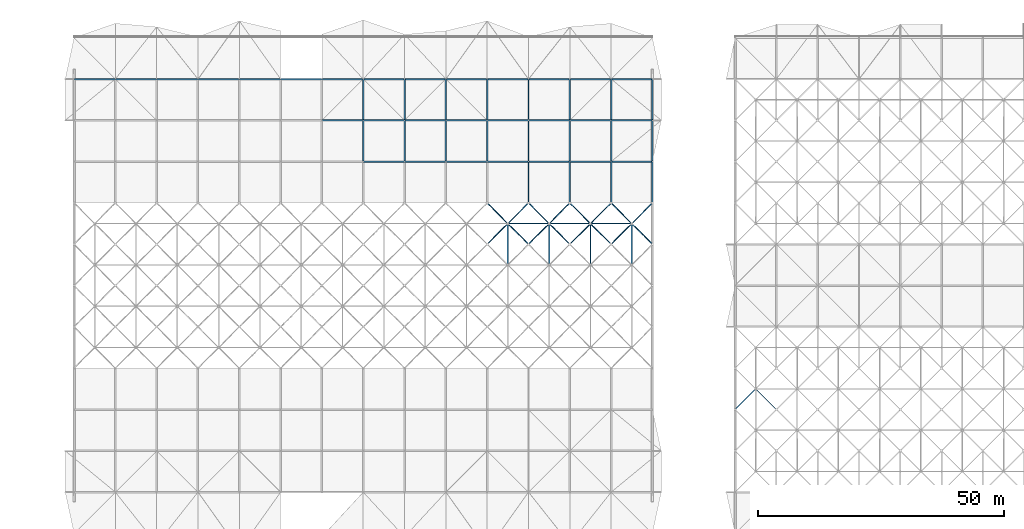
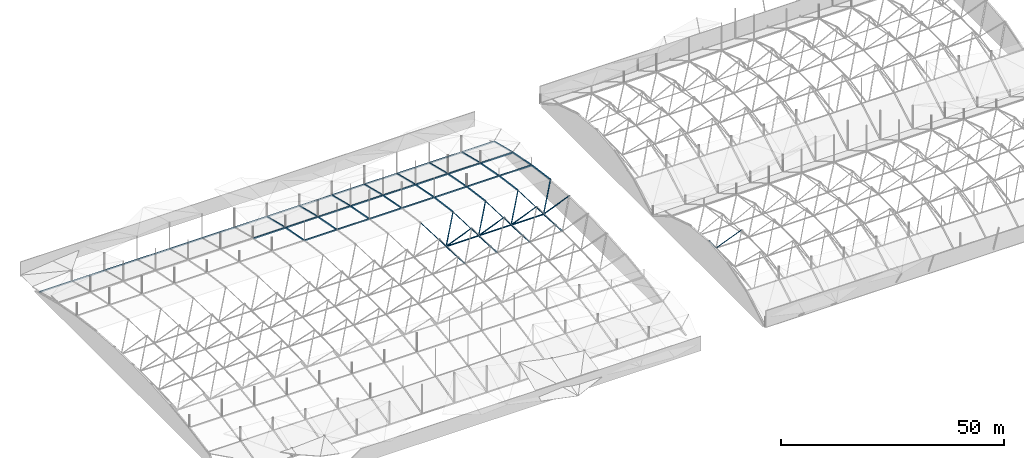
# One storey, part 9 of 111: 74 members.
"""IFC4 building model written with IfcOpenShell, lengths in metres."""

from ifc_helpers import new_model, si_unit, direction, frame, origin, origin_2d, place, context, subcontext, project, spatial, hollow_rectangle, extrude, material, material_profile, profile_set, type_object, element, save


model = new_model("IFC4")

# Units and contexts
model_context = context("Model", 3, precision=1e-05, world=origin(), true_north=direction((0.0, 1.0)))
body_context = subcontext(model_context, "Body", "Model", "MODEL_VIEW")
ifc_project = project(units=[si_unit("LENGTHUNIT", "METRE"), si_unit("AREAUNIT", "SQUARE_METRE"), si_unit("VOLUMEUNIT", "CUBIC_METRE"), si_unit("PLANEANGLEUNIT", "RADIAN"), si_unit("MASSUNIT", "GRAM", prefix="KILO")], contexts=[model_context])

# Site, building, storey
site_placement = place(None, origin())
site = spatial("IfcSite", under=ifc_project, at=site_placement, CompositionType="ELEMENT")
building_placement = place(site_placement, origin())
building = spatial("IfcBuilding", under=site, at=building_placement, Name="Rain Tree Exposition and Congress Centre", CompositionType="ELEMENT")
storey_placement = place(building_placement, frame((0.0, 0.0, 19.5)))
storey = spatial("IfcBuildingStorey", under=building, at=storey_placement, Name="RF", CompositionType="ELEMENT", Elevation=19.5)

# Members
ifc_material_1 = material(Name="Steel S355J2H", Category="steel")
ifc_material_profile_1 = material_profile(ifc_material_1, hollow_rectangle(XDim=0.14990234375, YDim=0.14990234375, WallThickness=0.00439453125, at=origin_2d()), Name="RHS 150x150x4.5")
ifc_profile_set_1 = profile_set([ifc_material_profile_1], Name="Steel S355J2H")
member_type_1 = type_object("IfcMemberType", Name="Steel brace member RHS 150x150x4.5", PredefinedType="BRACE", material=ifc_profile_set_1)
member_1_placement = place(storey_placement, frame((96.60009765625, 163.800048828125, 0.38818359375), z_axis=(-0.491886905994, -0.491858314567, 0.718416780221), x_axis=(0.70708622964, -0.707127332136, 0.0)))
element("IfcMember", 1, at=member_1_placement, inside=storey, type_object=member_type_1, Name="Diagonal 1004", PredefinedType="BRACE", context=body_context, shape_type="SweptSolid", body=[
    extrude(hollow_rectangle(XDim=0.14990234375, YDim=0.14990234375, WallThickness=0.00439453125, at=origin_2d()), origin(), (0.0, 0.0, 1.0), 8.5390625),
])
member_2_placement = place(storey_placement, frame((96.60009765625, 163.800048828125, 0.38818359375), z_axis=(0.491865231884, -0.491865231884, 0.718426883773), x_axis=(0.707106781187, 0.707106781187, 0.0)))
element("IfcMember", 2, at=member_2_placement, inside=storey, type_object=member_type_1, Name="Diagonal 1005", PredefinedType="BRACE", context=body_context, shape_type="SweptSolid", body=[
    extrude(hollow_rectangle(XDim=0.14990234375, YDim=0.14990234375, WallThickness=0.00439453125, at=origin_2d()), origin(), (0.0, 0.0, 1.0), 8.538818359375),
])
for number, where, z_axis, x_axis, name in (
    (3, (96.60009765625, 163.800048828125, 0.38818359375), (-0.520994783804, 0.520964500452, 0.676136394907), (-0.70708622964, -0.707127332136, 0.0), "Diagonal 1006"),
    (4, (96.60009765625, 163.800048828125, 0.38818359375), (0.520972719908, 0.520972719908, 0.67614706257), (-0.707106781187, 0.707106781187, 0.0), "Diagonal 1007"),
):
    element("IfcMember", number, at=place(storey_placement, frame(where, z_axis=z_axis, x_axis=x_axis)), inside=storey, type_object=member_type_1, Name=name, PredefinedType="BRACE", context=body_context, shape_type="SweptSolid", body=[
        extrude(hollow_rectangle(XDim=0.14990234375, YDim=0.14990234375, WallThickness=0.00439453125, at=origin_2d()), origin(), (0.0, 0.0, 1.0), 8.061767578125),
    ])
for number, where, z_axis, x_axis, name in (
    (5, (105.0, 163.800048828125, 0.38818359375), (-0.491865231884, -0.491865231884, 0.718426883773), (0.707106781187, -0.707106781187, 0.0), "Diagonal 1010"),
    (6, (105.0, 163.800048828125, 0.38818359375), (0.491865231884, -0.491865231884, 0.718426883773), (0.707106781187, 0.707106781187, 0.0), "Diagonal 1011"),
):
    element("IfcMember", number, at=place(storey_placement, frame(where, z_axis=z_axis, x_axis=x_axis)), inside=storey, type_object=member_type_1, Name=name, PredefinedType="BRACE", context=body_context, shape_type="SweptSolid", body=[
        extrude(hollow_rectangle(XDim=0.14990234375, YDim=0.14990234375, WallThickness=0.00439453125, at=origin_2d()), origin(), (0.0, 0.0, 1.0), 8.538818359375),
    ])
for number, where, z_axis, x_axis, name in (
    (7, (105.0, 163.800048828125, 0.38818359375), (-0.520972719908, 0.520972719908, 0.67614706257), (-0.707106781187, -0.707106781187, 0.0), "Diagonal 1012"),
    (8, (105.0, 163.800048828125, 0.38818359375), (0.520972719908, 0.520972719908, 0.67614706257), (-0.707106781187, 0.707106781187, 0.0), "Diagonal 1013"),
):
    element("IfcMember", number, at=place(storey_placement, frame(where, z_axis=z_axis, x_axis=x_axis)), inside=storey, type_object=member_type_1, Name=name, PredefinedType="BRACE", context=body_context, shape_type="SweptSolid", body=[
        extrude(hollow_rectangle(XDim=0.14990234375, YDim=0.14990234375, WallThickness=0.00439453125, at=origin_2d()), origin(), (0.0, 0.0, 1.0), 8.061767578125),
    ])
member_3_placement = place(storey_placement, frame((113.39990234375, 163.800048828125, 0.38818359375), z_axis=(-0.491865231884, -0.491865231884, 0.718426883773), x_axis=(0.707106781187, -0.707106781187, 0.0)))
element("IfcMember", 9, at=member_3_placement, inside=storey, type_object=member_type_1, Name="Diagonal 1016", PredefinedType="BRACE", context=body_context, shape_type="SweptSolid", body=[
    extrude(hollow_rectangle(XDim=0.14990234375, YDim=0.14990234375, WallThickness=0.00439453125, at=origin_2d()), origin(), (0.0, 0.0, 1.0), 8.538818359375),
])
member_4_placement = place(storey_placement, frame((113.39990234375, 163.800048828125, 0.38818359375), z_axis=(0.491886905994, -0.491858314567, 0.718416780221), x_axis=(0.70708622964, 0.707127332136, 0.0)))
element("IfcMember", 10, at=member_4_placement, inside=storey, type_object=member_type_1, Name="Diagonal 1017", PredefinedType="BRACE", context=body_context, shape_type="SweptSolid", body=[
    extrude(hollow_rectangle(XDim=0.14990234375, YDim=0.14990234375, WallThickness=0.00439453125, at=origin_2d()), origin(), (0.0, 0.0, 1.0), 8.5390625),
])
for number, where, z_axis, x_axis, name in (
    (11, (113.39990234375, 163.800048828125, 0.38818359375), (-0.520972719908, 0.520972719908, 0.67614706257), (-0.707106781187, -0.707106781187, 0.0), "Diagonal 1018"),
    (12, (113.39990234375, 163.800048828125, 0.38818359375), (0.520994783804, 0.520964500452, 0.676136394907), (-0.70708622964, 0.707127332136, 0.0), "Diagonal 1019"),
):
    element("IfcMember", number, at=place(storey_placement, frame(where, z_axis=z_axis, x_axis=x_axis)), inside=storey, type_object=member_type_1, Name=name, PredefinedType="BRACE", context=body_context, shape_type="SweptSolid", body=[
        extrude(hollow_rectangle(XDim=0.14990234375, YDim=0.14990234375, WallThickness=0.00439453125, at=origin_2d()), origin(), (0.0, 0.0, 1.0), 8.061767578125),
    ])
for number, where, z_axis, x_axis, name in (
    (13, (121.800048828125, 163.800048828125, 0.38818359375), (-0.491865231884, -0.491865231884, 0.718426883773), (0.707106781187, -0.707106781187, 0.0), "Diagonal 1022"),
    (14, (121.800048828125, 163.800048828125, 0.38818359375), (0.491865231884, -0.491865231884, 0.718426883773), (0.707106781187, 0.707106781187, 0.0), "Diagonal 1023"),
):
    element("IfcMember", number, at=place(storey_placement, frame(where, z_axis=z_axis, x_axis=x_axis)), inside=storey, type_object=member_type_1, Name=name, PredefinedType="BRACE", context=body_context, shape_type="SweptSolid", body=[
        extrude(hollow_rectangle(XDim=0.14990234375, YDim=0.14990234375, WallThickness=0.00439453125, at=origin_2d()), origin(), (0.0, 0.0, 1.0), 8.538818359375),
    ])
for number, where, z_axis, x_axis, name in (
    (15, (121.800048828125, 163.800048828125, 0.38818359375), (-0.520972719908, 0.520972719908, 0.67614706257), (-0.707106781187, -0.707106781187, 0.0), "Diagonal 1024"),
    (16, (121.800048828125, 163.800048828125, 0.38818359375), (0.520972719908, 0.520972719908, 0.67614706257), (-0.707106781187, 0.707106781187, 0.0), "Diagonal 1025"),
):
    element("IfcMember", number, at=place(storey_placement, frame(where, z_axis=z_axis, x_axis=x_axis)), inside=storey, type_object=member_type_1, Name=name, PredefinedType="BRACE", context=body_context, shape_type="SweptSolid", body=[
        extrude(hollow_rectangle(XDim=0.14990234375, YDim=0.14990234375, WallThickness=0.00439453125, at=origin_2d()), origin(), (0.0, 0.0, 1.0), 8.061767578125),
    ])
ifc_material_2 = material(Name="Steel S355J2H", Category="steel")
ifc_material_profile_2 = material_profile(ifc_material_2, hollow_rectangle(XDim=0.175048828125, YDim=0.175048828125, WallThickness=0.006103515625, at=origin_2d()), Name="RHS 175x175x6")
ifc_profile_set_2 = profile_set([ifc_material_profile_2], Name="Steel S355J2H")
member_type_2 = type_object("IfcMemberType", Name="Steel brace member RHS 175x175x6", PredefinedType="BRACE", material=ifc_profile_set_2)
for number, where, z_axis, x_axis, name in (
    (17, (147.0, 130.199951171875, 2.68896484375), (-0.494916318018, -0.494916318018, 0.714223827885), (0.707106781187, -0.707106781187, 0.0), "Diagonal 526"),
    (18, (147.0, 130.199951171875, 2.68896484375), (0.494916318018, -0.494916318018, 0.714223827885), (0.707106781187, 0.707106781187, 0.0), "Diagonal 527"),
):
    element("IfcMember", number, at=place(storey_placement, frame(where, z_axis=z_axis, x_axis=x_axis)), inside=storey, type_object=member_type_2, Name=name, PredefinedType="BRACE", context=body_context, shape_type="SweptSolid", body=[
        extrude(hollow_rectangle(XDim=0.175048828125, YDim=0.175048828125, WallThickness=0.006103515625, at=origin_2d()), origin(), (0.0, 0.0, 1.0), 8.486083984375),
    ])
ifc_material_3 = material(Name="Steel S355J2H", Category="steel")
ifc_material_profile_3 = material_profile(ifc_material_3, hollow_rectangle(XDim=0.25, YDim=0.25, WallThickness=0.006103515625, at=origin_2d()), Name="RHS 250x250x6")
ifc_profile_set_3 = profile_set([ifc_material_profile_3], Name="Steel S355J2H")
member_type_3 = type_object("IfcMemberType", Name="Steel chord member RHS 250x250x6", PredefinedType="CHORD", material=ifc_profile_set_3)
for number, where, z_axis, x_axis, name in (
    (19, (96.60009765625, 155.39990234375, 0.84326171875), (0.0, 0.998535755774, -0.054095697061), (-1.0, 0.0, 0.0), "Bottom chord 926"),
    (20, (105.0, 155.39990234375, 0.84326171875), (0.0, 0.998535755774, -0.054095697061), (-1.0, 0.0, 0.0), "Bottom chord 932"),
    (21, (113.39990234375, 155.39990234375, 0.84326171875), (0.0, 0.998535755774, -0.054095697061), (-1.0, 0.0, 0.0), "Bottom chord 938"),
    (22, (121.800048828125, 155.39990234375, 0.84326171875), (0.0, 0.998535755774, -0.054095697061), (-1.0, 0.0, 0.0), "Bottom chord 943"),
):
    element("IfcMember", number, at=place(storey_placement, frame(where, z_axis=z_axis, x_axis=x_axis)), inside=storey, type_object=member_type_3, Name=name, PredefinedType="CHORD", context=body_context, shape_type="SweptSolid", body=[
        extrude(hollow_rectangle(XDim=0.25, YDim=0.25, WallThickness=0.006103515625, at=origin_2d()), origin(), (0.0, 0.0, 1.0), 8.412353515625),
    ])
for number, where, z_axis, x_axis, name in (
    (23, (96.60009765625, 163.800048828125, 0.38818359375), (1.0, 0.0, 0.0), (0.0, 1.0, 0.0), "Bottom chord 1008"),
    (24, (105.0, 163.800048828125, 0.38818359375), (1.0, 0.0, 0.0), (0.0, 1.0, 0.0), "Bottom chord 1014"),
):
    element("IfcMember", number, at=place(storey_placement, frame(where, z_axis=z_axis, x_axis=x_axis)), inside=storey, type_object=member_type_3, Name=name, PredefinedType="CHORD", context=body_context, shape_type="SweptSolid", body=[
        extrude(hollow_rectangle(XDim=0.25, YDim=0.25, WallThickness=0.006103515625, at=origin_2d()), origin(), (0.0, 0.0, 1.0), 8.39990234375),
    ])
member_5_placement = place(storey_placement, frame((113.39990234375, 163.800048828125, 0.38818359375), z_axis=(1.0, 0.0, 0.0), x_axis=(0.0, 1.0, 0.0)))
element("IfcMember", 25, at=member_5_placement, inside=storey, type_object=member_type_3, Name="Bottom chord 1020", PredefinedType="CHORD", context=body_context, shape_type="SweptSolid", body=[
    extrude(hollow_rectangle(XDim=0.25, YDim=0.25, WallThickness=0.006103515625, at=origin_2d()), origin(), (0.0, 0.0, 1.0), 8.400146484375),
])
ifc_material_4 = material(Name="Steel S355J2H", Category="steel")
ifc_material_profile_4 = material_profile(ifc_material_4, hollow_rectangle(XDim=0.300048828125, YDim=0.300048828125, WallThickness=0.009033203125, at=origin_2d()), Name="RHS 300x300x9")
ifc_profile_set_4 = profile_set([ifc_material_profile_4], Name="Steel S355J2H")
member_type_4 = type_object("IfcMemberType", Name="Steel chord member RHS 300x300x9", PredefinedType="CHORD", material=ifc_profile_set_4)
member_6_placement = place(storey_placement, frame((67.199951171875, 176.39990234375, 4.693115234375), z_axis=(1.0, 0.0, 0.0), x_axis=(0.0, 1.0, 0.0)))
element("IfcMember", 26, at=member_6_placement, inside=storey, type_object=member_type_4, Name="Top chord 134", PredefinedType="CHORD", context=body_context, shape_type="SweptSolid", body=[
    extrude(hollow_rectangle(XDim=0.300048828125, YDim=0.300048828125, WallThickness=0.009033203125, at=origin_2d()), origin(), (0.0, 0.0, 1.0), 8.400146484375),
])
for number, where, z_axis, x_axis, name in (
    (27, (75.60009765625, 176.39990234375, 4.693115234375), (1.0, 0.0, 0.0), (0.0, 1.0, 0.0), "Top chord 135"),
    (28, (84.0, 176.39990234375, 4.693115234375), (1.0, 0.0, 0.0), (0.0, 1.0, 0.0), "Top chord 136"),
):
    element("IfcMember", number, at=place(storey_placement, frame(where, z_axis=z_axis, x_axis=x_axis)), inside=storey, type_object=member_type_4, Name=name, PredefinedType="CHORD", context=body_context, shape_type="SweptSolid", body=[
        extrude(hollow_rectangle(XDim=0.300048828125, YDim=0.300048828125, WallThickness=0.009033203125, at=origin_2d()), origin(), (0.0, 0.0, 1.0), 8.39990234375),
    ])
member_7_placement = place(storey_placement, frame((92.39990234375, 176.39990234375, 4.693115234375), z_axis=(1.0, 0.0, 0.0), x_axis=(0.0, 1.0, 0.0)))
element("IfcMember", 29, at=member_7_placement, inside=storey, type_object=member_type_4, Name="Top chord 137", PredefinedType="CHORD", context=body_context, shape_type="SweptSolid", body=[
    extrude(hollow_rectangle(XDim=0.300048828125, YDim=0.300048828125, WallThickness=0.009033203125, at=origin_2d()), origin(), (0.0, 0.0, 1.0), 8.400146484375),
])
member_8_placement = place(storey_placement, frame((100.800048828125, 176.39990234375, 4.693115234375), z_axis=(1.0, 0.0, 0.0), x_axis=(0.0, 1.0, 0.0)))
element("IfcMember", 30, at=member_8_placement, inside=storey, type_object=member_type_4, Name="Top chord 138", PredefinedType="CHORD", context=body_context, shape_type="SweptSolid", body=[
    extrude(hollow_rectangle(XDim=0.300048828125, YDim=0.300048828125, WallThickness=0.009033203125, at=origin_2d()), origin(), (0.0, 0.0, 1.0), 8.39990234375),
])
member_9_placement = place(storey_placement, frame((109.199951171875, 176.39990234375, 4.693115234375), z_axis=(1.0, 0.0, 0.0), x_axis=(0.0, 1.0, 0.0)))
element("IfcMember", 31, at=member_9_placement, inside=storey, type_object=member_type_4, Name="Top chord 139", PredefinedType="CHORD", context=body_context, shape_type="SweptSolid", body=[
    extrude(hollow_rectangle(XDim=0.300048828125, YDim=0.300048828125, WallThickness=0.009033203125, at=origin_2d()), origin(), (0.0, 0.0, 1.0), 8.400146484375),
])
for number, where, z_axis, x_axis, name in (
    (32, (117.60009765625, 176.39990234375, 4.693115234375), (1.0, 0.0, 0.0), (0.0, 1.0, 0.0), "Top chord 140"),
    (33, (58.800048828125, 184.800048828125, 3.07421875), (1.0, 0.0, 0.0), (0.0, 1.0, 0.0), "Top chord 147"),
):
    element("IfcMember", number, at=place(storey_placement, frame(where, z_axis=z_axis, x_axis=x_axis)), inside=storey, type_object=member_type_4, Name=name, PredefinedType="CHORD", context=body_context, shape_type="SweptSolid", body=[
        extrude(hollow_rectangle(XDim=0.300048828125, YDim=0.300048828125, WallThickness=0.009033203125, at=origin_2d()), origin(), (0.0, 0.0, 1.0), 8.39990234375),
    ])
member_10_placement = place(storey_placement, frame((67.199951171875, 184.800048828125, 3.07421875), z_axis=(1.0, 0.0, 0.0), x_axis=(0.0, 1.0, 0.0)))
element("IfcMember", 34, at=member_10_placement, inside=storey, type_object=member_type_4, Name="Top chord 148", PredefinedType="CHORD", context=body_context, shape_type="SweptSolid", body=[
    extrude(hollow_rectangle(XDim=0.300048828125, YDim=0.300048828125, WallThickness=0.009033203125, at=origin_2d()), origin(), (0.0, 0.0, 1.0), 8.400146484375),
])
for number, where, z_axis, x_axis, name in (
    (35, (75.60009765625, 184.800048828125, 3.07421875), (1.0, 0.0, 0.0), (0.0, 1.0, 0.0), "Top chord 149"),
    (36, (84.0, 184.800048828125, 3.07421875), (1.0, 0.0, 0.0), (0.0, 1.0, 0.0), "Top chord 150"),
):
    element("IfcMember", number, at=place(storey_placement, frame(where, z_axis=z_axis, x_axis=x_axis)), inside=storey, type_object=member_type_4, Name=name, PredefinedType="CHORD", context=body_context, shape_type="SweptSolid", body=[
        extrude(hollow_rectangle(XDim=0.300048828125, YDim=0.300048828125, WallThickness=0.009033203125, at=origin_2d()), origin(), (0.0, 0.0, 1.0), 8.39990234375),
    ])
member_11_placement = place(storey_placement, frame((92.39990234375, 184.800048828125, 3.07421875), z_axis=(1.0, 0.0, 0.0), x_axis=(0.0, 1.0, 0.0)))
element("IfcMember", 37, at=member_11_placement, inside=storey, type_object=member_type_4, Name="Top chord 151", PredefinedType="CHORD", context=body_context, shape_type="SweptSolid", body=[
    extrude(hollow_rectangle(XDim=0.300048828125, YDim=0.300048828125, WallThickness=0.009033203125, at=origin_2d()), origin(), (0.0, 0.0, 1.0), 8.400146484375),
])
member_12_placement = place(storey_placement, frame((100.800048828125, 184.800048828125, 3.07421875), z_axis=(1.0, 0.0, 0.0), x_axis=(0.0, 1.0, 0.0)))
element("IfcMember", 38, at=member_12_placement, inside=storey, type_object=member_type_4, Name="Top chord 152", PredefinedType="CHORD", context=body_context, shape_type="SweptSolid", body=[
    extrude(hollow_rectangle(XDim=0.300048828125, YDim=0.300048828125, WallThickness=0.009033203125, at=origin_2d()), origin(), (0.0, 0.0, 1.0), 8.39990234375),
])
member_13_placement = place(storey_placement, frame((109.199951171875, 184.800048828125, 3.07421875), z_axis=(1.0, 0.0, 0.0), x_axis=(0.0, 1.0, 0.0)))
element("IfcMember", 39, at=member_13_placement, inside=storey, type_object=member_type_4, Name="Top chord 153", PredefinedType="CHORD", context=body_context, shape_type="SweptSolid", body=[
    extrude(hollow_rectangle(XDim=0.300048828125, YDim=0.300048828125, WallThickness=0.009033203125, at=origin_2d()), origin(), (0.0, 0.0, 1.0), 8.400146484375),
])
member_14_placement = place(storey_placement, frame((117.60009765625, 184.800048828125, 3.07421875), z_axis=(1.0, 0.0, 0.0), x_axis=(0.0, 1.0, 0.0)))
element("IfcMember", 40, at=member_14_placement, inside=storey, type_object=member_type_4, Name="Top chord 154", PredefinedType="CHORD", context=body_context, shape_type="SweptSolid", body=[
    extrude(hollow_rectangle(XDim=0.300048828125, YDim=0.300048828125, WallThickness=0.009033203125, at=origin_2d()), origin(), (0.0, 0.0, 1.0), 8.39990234375),
])
member_15_placement = place(storey_placement, frame((8.39990234375, 193.199951171875, 0.966796875), z_axis=(1.0, 0.0, 0.0), x_axis=(0.0, 1.0, 0.0)))
element("IfcMember", 41, at=member_15_placement, inside=storey, type_object=member_type_4, Name="Top chord 155", PredefinedType="CHORD", context=body_context, shape_type="SweptSolid", body=[
    extrude(hollow_rectangle(XDim=0.300048828125, YDim=0.300048828125, WallThickness=0.009033203125, at=origin_2d()), origin(), (0.0, 0.0, 1.0), 8.400146484375),
])
member_16_placement = place(storey_placement, frame((16.800048828125, 193.199951171875, 0.966796875), z_axis=(1.0, 0.0, 0.0), x_axis=(0.0, 1.0, 0.0)))
element("IfcMember", 42, at=member_16_placement, inside=storey, type_object=member_type_4, Name="Top chord 156", PredefinedType="CHORD", context=body_context, shape_type="SweptSolid", body=[
    extrude(hollow_rectangle(XDim=0.300048828125, YDim=0.300048828125, WallThickness=0.009033203125, at=origin_2d()), origin(), (0.0, 0.0, 1.0), 8.39990234375),
])
member_17_placement = place(storey_placement, frame((25.199951171875, 193.199951171875, 0.966796875), z_axis=(1.0, 0.0, 0.0), x_axis=(0.0, 1.0, 0.0)))
element("IfcMember", 43, at=member_17_placement, inside=storey, type_object=member_type_4, Name="Top chord 157", PredefinedType="CHORD", context=body_context, shape_type="SweptSolid", body=[
    extrude(hollow_rectangle(XDim=0.300048828125, YDim=0.300048828125, WallThickness=0.009033203125, at=origin_2d()), origin(), (0.0, 0.0, 1.0), 8.400146484375),
])
for number, where, z_axis, x_axis, name in (
    (44, (33.60009765625, 193.199951171875, 0.966796875), (1.0, 0.0, 0.0), (0.0, 1.0, 0.0), "Top chord 158"),
    (45, (42.0, 193.199951171875, 0.966796875), (1.0, 0.0, 0.0), (0.0, 1.0, 0.0), "Top chord 159"),
):
    element("IfcMember", number, at=place(storey_placement, frame(where, z_axis=z_axis, x_axis=x_axis)), inside=storey, type_object=member_type_4, Name=name, PredefinedType="CHORD", context=body_context, shape_type="SweptSolid", body=[
        extrude(hollow_rectangle(XDim=0.300048828125, YDim=0.300048828125, WallThickness=0.009033203125, at=origin_2d()), origin(), (0.0, 0.0, 1.0), 8.39990234375),
    ])
member_18_placement = place(storey_placement, frame((50.39990234375, 193.199951171875, 0.966796875), z_axis=(1.0, 0.0, 0.0), x_axis=(0.0, 1.0, 0.0)))
element("IfcMember", 46, at=member_18_placement, inside=storey, type_object=member_type_4, Name="Top chord 160", PredefinedType="CHORD", context=body_context, shape_type="SweptSolid", body=[
    extrude(hollow_rectangle(XDim=0.300048828125, YDim=0.300048828125, WallThickness=0.009033203125, at=origin_2d()), origin(), (0.0, 0.0, 1.0), 8.400146484375),
])
member_19_placement = place(storey_placement, frame((58.800048828125, 193.199951171875, 0.966796875), z_axis=(1.0, 0.0, 0.0), x_axis=(0.0, 1.0, 0.0)))
element("IfcMember", 47, at=member_19_placement, inside=storey, type_object=member_type_4, Name="Top chord 161", PredefinedType="CHORD", context=body_context, shape_type="SweptSolid", body=[
    extrude(hollow_rectangle(XDim=0.300048828125, YDim=0.300048828125, WallThickness=0.009033203125, at=origin_2d()), origin(), (0.0, 0.0, 1.0), 8.39990234375),
])
member_20_placement = place(storey_placement, frame((67.199951171875, 193.199951171875, 0.966796875), z_axis=(1.0, 0.0, 0.0), x_axis=(0.0, 1.0, 0.0)))
element("IfcMember", 48, at=member_20_placement, inside=storey, type_object=member_type_4, Name="Top chord 162", PredefinedType="CHORD", context=body_context, shape_type="SweptSolid", body=[
    extrude(hollow_rectangle(XDim=0.300048828125, YDim=0.300048828125, WallThickness=0.009033203125, at=origin_2d()), origin(), (0.0, 0.0, 1.0), 8.400146484375),
])
for number, where, z_axis, x_axis, name in (
    (49, (75.60009765625, 193.199951171875, 0.966796875), (1.0, 0.0, 0.0), (0.0, 1.0, 0.0), "Top chord 163"),
    (50, (84.0, 193.199951171875, 0.966796875), (1.0, 0.0, 0.0), (0.0, 1.0, 0.0), "Top chord 164"),
):
    element("IfcMember", number, at=place(storey_placement, frame(where, z_axis=z_axis, x_axis=x_axis)), inside=storey, type_object=member_type_4, Name=name, PredefinedType="CHORD", context=body_context, shape_type="SweptSolid", body=[
        extrude(hollow_rectangle(XDim=0.300048828125, YDim=0.300048828125, WallThickness=0.009033203125, at=origin_2d()), origin(), (0.0, 0.0, 1.0), 8.39990234375),
    ])
member_21_placement = place(storey_placement, frame((92.39990234375, 193.199951171875, 0.966796875), z_axis=(1.0, 0.0, 0.0), x_axis=(0.0, 1.0, 0.0)))
element("IfcMember", 51, at=member_21_placement, inside=storey, type_object=member_type_4, Name="Top chord 165", PredefinedType="CHORD", context=body_context, shape_type="SweptSolid", body=[
    extrude(hollow_rectangle(XDim=0.300048828125, YDim=0.300048828125, WallThickness=0.009033203125, at=origin_2d()), origin(), (0.0, 0.0, 1.0), 8.400146484375),
])
member_22_placement = place(storey_placement, frame((100.800048828125, 193.199951171875, 0.966796875), z_axis=(1.0, 0.0, 0.0), x_axis=(0.0, 1.0, 0.0)))
element("IfcMember", 52, at=member_22_placement, inside=storey, type_object=member_type_4, Name="Top chord 166", PredefinedType="CHORD", context=body_context, shape_type="SweptSolid", body=[
    extrude(hollow_rectangle(XDim=0.300048828125, YDim=0.300048828125, WallThickness=0.009033203125, at=origin_2d()), origin(), (0.0, 0.0, 1.0), 8.39990234375),
])
member_23_placement = place(storey_placement, frame((109.199951171875, 193.199951171875, 0.966796875), z_axis=(1.0, 0.0, 0.0), x_axis=(0.0, 1.0, 0.0)))
element("IfcMember", 53, at=member_23_placement, inside=storey, type_object=member_type_4, Name="Top chord 167", PredefinedType="CHORD", context=body_context, shape_type="SweptSolid", body=[
    extrude(hollow_rectangle(XDim=0.300048828125, YDim=0.300048828125, WallThickness=0.009033203125, at=origin_2d()), origin(), (0.0, 0.0, 1.0), 8.400146484375),
])
member_24_placement = place(storey_placement, frame((117.60009765625, 193.199951171875, 0.966796875), z_axis=(1.0, 0.0, 0.0), x_axis=(0.0, 1.0, 0.0)))
element("IfcMember", 54, at=member_24_placement, inside=storey, type_object=member_type_4, Name="Top chord 168", PredefinedType="CHORD", context=body_context, shape_type="SweptSolid", body=[
    extrude(hollow_rectangle(XDim=0.300048828125, YDim=0.300048828125, WallThickness=0.009033203125, at=origin_2d()), origin(), (0.0, 0.0, 1.0), 8.39990234375),
])
member_25_placement = place(storey_placement, frame((67.199951171875, 176.39990234375, 4.693115234375), z_axis=(0.0, 0.981930848806, -0.189240080752), x_axis=(-1.0, 0.0, 0.0)))
element("IfcMember", 55, at=member_25_placement, inside=storey, type_object=member_type_4, Name="Top chord 276", PredefinedType="CHORD", context=body_context, shape_type="SweptSolid", body=[
    extrude(hollow_rectangle(XDim=0.300048828125, YDim=0.300048828125, WallThickness=0.009033203125, at=origin_2d()), origin(), (0.0, 0.0, 1.0), 8.5546875),
])
member_26_placement = place(storey_placement, frame((67.199951171875, 184.800048828125, 3.07421875), z_axis=(0.0, 0.969939850681, -0.24334478844), x_axis=(-1.0, 0.0, 0.0)))
element("IfcMember", 56, at=member_26_placement, inside=storey, type_object=member_type_4, Name="Top chord 277", PredefinedType="CHORD", context=body_context, shape_type="SweptSolid", body=[
    extrude(hollow_rectangle(XDim=0.300048828125, YDim=0.300048828125, WallThickness=0.009033203125, at=origin_2d()), origin(), (0.0, 0.0, 1.0), 8.66015625),
])
member_27_placement = place(storey_placement, frame((75.60009765625, 176.39990234375, 4.693115234375), z_axis=(0.0, 0.981930848806, -0.189240080752), x_axis=(-1.0, 0.0, 0.0)))
element("IfcMember", 57, at=member_27_placement, inside=storey, type_object=member_type_4, Name="Top chord 288", PredefinedType="CHORD", context=body_context, shape_type="SweptSolid", body=[
    extrude(hollow_rectangle(XDim=0.300048828125, YDim=0.300048828125, WallThickness=0.009033203125, at=origin_2d()), origin(), (0.0, 0.0, 1.0), 8.5546875),
])
member_28_placement = place(storey_placement, frame((75.60009765625, 184.800048828125, 3.07421875), z_axis=(0.0, 0.969939850681, -0.24334478844), x_axis=(-1.0, 0.0, 0.0)))
element("IfcMember", 58, at=member_28_placement, inside=storey, type_object=member_type_4, Name="Top chord 289", PredefinedType="CHORD", context=body_context, shape_type="SweptSolid", body=[
    extrude(hollow_rectangle(XDim=0.300048828125, YDim=0.300048828125, WallThickness=0.009033203125, at=origin_2d()), origin(), (0.0, 0.0, 1.0), 8.66015625),
])
member_29_placement = place(storey_placement, frame((84.0, 176.39990234375, 4.693115234375), z_axis=(0.0, 0.981930848806, -0.189240080752), x_axis=(-1.0, 0.0, 0.0)))
element("IfcMember", 59, at=member_29_placement, inside=storey, type_object=member_type_4, Name="Top chord 300", PredefinedType="CHORD", context=body_context, shape_type="SweptSolid", body=[
    extrude(hollow_rectangle(XDim=0.300048828125, YDim=0.300048828125, WallThickness=0.009033203125, at=origin_2d()), origin(), (0.0, 0.0, 1.0), 8.5546875),
])
member_30_placement = place(storey_placement, frame((84.0, 184.800048828125, 3.07421875), z_axis=(0.0, 0.969939850681, -0.24334478844), x_axis=(-1.0, 0.0, 0.0)))
element("IfcMember", 60, at=member_30_placement, inside=storey, type_object=member_type_4, Name="Top chord 301", PredefinedType="CHORD", context=body_context, shape_type="SweptSolid", body=[
    extrude(hollow_rectangle(XDim=0.300048828125, YDim=0.300048828125, WallThickness=0.009033203125, at=origin_2d()), origin(), (0.0, 0.0, 1.0), 8.66015625),
])
member_31_placement = place(storey_placement, frame((92.39990234375, 176.39990234375, 4.693115234375), z_axis=(0.0, 0.981930848806, -0.189240080752), x_axis=(-1.0, 0.0, 0.0)))
element("IfcMember", 61, at=member_31_placement, inside=storey, type_object=member_type_4, Name="Top chord 312", PredefinedType="CHORD", context=body_context, shape_type="SweptSolid", body=[
    extrude(hollow_rectangle(XDim=0.300048828125, YDim=0.300048828125, WallThickness=0.009033203125, at=origin_2d()), origin(), (0.0, 0.0, 1.0), 8.5546875),
])
member_32_placement = place(storey_placement, frame((92.39990234375, 184.800048828125, 3.07421875), z_axis=(0.0, 0.969939850681, -0.24334478844), x_axis=(-1.0, 0.0, 0.0)))
element("IfcMember", 62, at=member_32_placement, inside=storey, type_object=member_type_4, Name="Top chord 313", PredefinedType="CHORD", context=body_context, shape_type="SweptSolid", body=[
    extrude(hollow_rectangle(XDim=0.300048828125, YDim=0.300048828125, WallThickness=0.009033203125, at=origin_2d()), origin(), (0.0, 0.0, 1.0), 8.66015625),
])
member_33_placement = place(storey_placement, frame((100.800048828125, 168.0, 5.839111328125), z_axis=(0.0, 0.990821403915, -0.135177459454), x_axis=(-1.0, 0.0, 0.0)))
element("IfcMember", 63, at=member_33_placement, inside=storey, type_object=member_type_4, Name="Top chord 323", PredefinedType="CHORD", context=body_context, shape_type="SweptSolid", body=[
    extrude(hollow_rectangle(XDim=0.300048828125, YDim=0.300048828125, WallThickness=0.009033203125, at=origin_2d()), origin(), (0.0, 0.0, 1.0), 8.477783203125),
])
member_34_placement = place(storey_placement, frame((100.800048828125, 176.39990234375, 4.693115234375), z_axis=(0.0, 0.981930848806, -0.189240080752), x_axis=(-1.0, 0.0, 0.0)))
element("IfcMember", 64, at=member_34_placement, inside=storey, type_object=member_type_4, Name="Top chord 324", PredefinedType="CHORD", context=body_context, shape_type="SweptSolid", body=[
    extrude(hollow_rectangle(XDim=0.300048828125, YDim=0.300048828125, WallThickness=0.009033203125, at=origin_2d()), origin(), (0.0, 0.0, 1.0), 8.5546875),
])
member_35_placement = place(storey_placement, frame((100.800048828125, 184.800048828125, 3.07421875), z_axis=(0.0, 0.969939850681, -0.24334478844), x_axis=(-1.0, 0.0, 0.0)))
element("IfcMember", 65, at=member_35_placement, inside=storey, type_object=member_type_4, Name="Top chord 325", PredefinedType="CHORD", context=body_context, shape_type="SweptSolid", body=[
    extrude(hollow_rectangle(XDim=0.300048828125, YDim=0.300048828125, WallThickness=0.009033203125, at=origin_2d()), origin(), (0.0, 0.0, 1.0), 8.66015625),
])
member_36_placement = place(storey_placement, frame((109.199951171875, 168.0, 5.839111328125), z_axis=(0.0, 0.990821403915, -0.135177459454), x_axis=(-1.0, 0.0, 0.0)))
element("IfcMember", 66, at=member_36_placement, inside=storey, type_object=member_type_4, Name="Top chord 335", PredefinedType="CHORD", context=body_context, shape_type="SweptSolid", body=[
    extrude(hollow_rectangle(XDim=0.300048828125, YDim=0.300048828125, WallThickness=0.009033203125, at=origin_2d()), origin(), (0.0, 0.0, 1.0), 8.477783203125),
])
member_37_placement = place(storey_placement, frame((109.199951171875, 176.39990234375, 4.693115234375), z_axis=(0.0, 0.981930848806, -0.189240080752), x_axis=(-1.0, 0.0, 0.0)))
element("IfcMember", 67, at=member_37_placement, inside=storey, type_object=member_type_4, Name="Top chord 336", PredefinedType="CHORD", context=body_context, shape_type="SweptSolid", body=[
    extrude(hollow_rectangle(XDim=0.300048828125, YDim=0.300048828125, WallThickness=0.009033203125, at=origin_2d()), origin(), (0.0, 0.0, 1.0), 8.5546875),
])
member_38_placement = place(storey_placement, frame((109.199951171875, 184.800048828125, 3.07421875), z_axis=(0.0, 0.969939850681, -0.24334478844), x_axis=(-1.0, 0.0, 0.0)))
element("IfcMember", 68, at=member_38_placement, inside=storey, type_object=member_type_4, Name="Top chord 337", PredefinedType="CHORD", context=body_context, shape_type="SweptSolid", body=[
    extrude(hollow_rectangle(XDim=0.300048828125, YDim=0.300048828125, WallThickness=0.009033203125, at=origin_2d()), origin(), (0.0, 0.0, 1.0), 8.66015625),
])
member_39_placement = place(storey_placement, frame((117.60009765625, 168.0, 5.839111328125), z_axis=(0.0, 0.990821403915, -0.135177459454), x_axis=(-1.0, 0.0, 0.0)))
element("IfcMember", 69, at=member_39_placement, inside=storey, type_object=member_type_4, Name="Top chord 347", PredefinedType="CHORD", context=body_context, shape_type="SweptSolid", body=[
    extrude(hollow_rectangle(XDim=0.300048828125, YDim=0.300048828125, WallThickness=0.009033203125, at=origin_2d()), origin(), (0.0, 0.0, 1.0), 8.477783203125),
])
member_40_placement = place(storey_placement, frame((117.60009765625, 176.39990234375, 4.693115234375), z_axis=(0.0, 0.981930848806, -0.189240080752), x_axis=(-1.0, 0.0, 0.0)))
element("IfcMember", 70, at=member_40_placement, inside=storey, type_object=member_type_4, Name="Top chord 348", PredefinedType="CHORD", context=body_context, shape_type="SweptSolid", body=[
    extrude(hollow_rectangle(XDim=0.300048828125, YDim=0.300048828125, WallThickness=0.009033203125, at=origin_2d()), origin(), (0.0, 0.0, 1.0), 8.5546875),
])
member_41_placement = place(storey_placement, frame((117.60009765625, 184.800048828125, 3.07421875), z_axis=(0.0, 0.969939850681, -0.24334478844), x_axis=(-1.0, 0.0, 0.0)))
element("IfcMember", 71, at=member_41_placement, inside=storey, type_object=member_type_4, Name="Top chord 349", PredefinedType="CHORD", context=body_context, shape_type="SweptSolid", body=[
    extrude(hollow_rectangle(XDim=0.300048828125, YDim=0.300048828125, WallThickness=0.009033203125, at=origin_2d()), origin(), (0.0, 0.0, 1.0), 8.66015625),
])
member_42_placement = place(storey_placement, frame((126.0, 168.0, 5.839111328125), z_axis=(0.0, 0.990821403915, -0.135177459454), x_axis=(-1.0, 0.0, 0.0)))
element("IfcMember", 72, at=member_42_placement, inside=storey, type_object=member_type_4, Name="Top chord 359", PredefinedType="CHORD", context=body_context, shape_type="SweptSolid", body=[
    extrude(hollow_rectangle(XDim=0.300048828125, YDim=0.300048828125, WallThickness=0.009033203125, at=origin_2d()), origin(), (0.0, 0.0, 1.0), 8.477783203125),
])
member_43_placement = place(storey_placement, frame((126.0, 176.39990234375, 4.693115234375), z_axis=(0.0, 0.981930848806, -0.189240080752), x_axis=(-1.0, 0.0, 0.0)))
element("IfcMember", 73, at=member_43_placement, inside=storey, type_object=member_type_4, Name="Top chord 360", PredefinedType="CHORD", context=body_context, shape_type="SweptSolid", body=[
    extrude(hollow_rectangle(XDim=0.300048828125, YDim=0.300048828125, WallThickness=0.009033203125, at=origin_2d()), origin(), (0.0, 0.0, 1.0), 8.5546875),
])
member_44_placement = place(storey_placement, frame((126.0, 184.800048828125, 3.07421875), z_axis=(0.0, 0.969939850681, -0.24334478844), x_axis=(-1.0, 0.0, 0.0)))
element("IfcMember", 74, at=member_44_placement, inside=storey, type_object=member_type_4, Name="Top chord 361", PredefinedType="CHORD", context=body_context, shape_type="SweptSolid", body=[
    extrude(hollow_rectangle(XDim=0.300048828125, YDim=0.300048828125, WallThickness=0.009033203125, at=origin_2d()), origin(), (0.0, 0.0, 1.0), 8.66015625),
])

save(model, "model.ifc")
